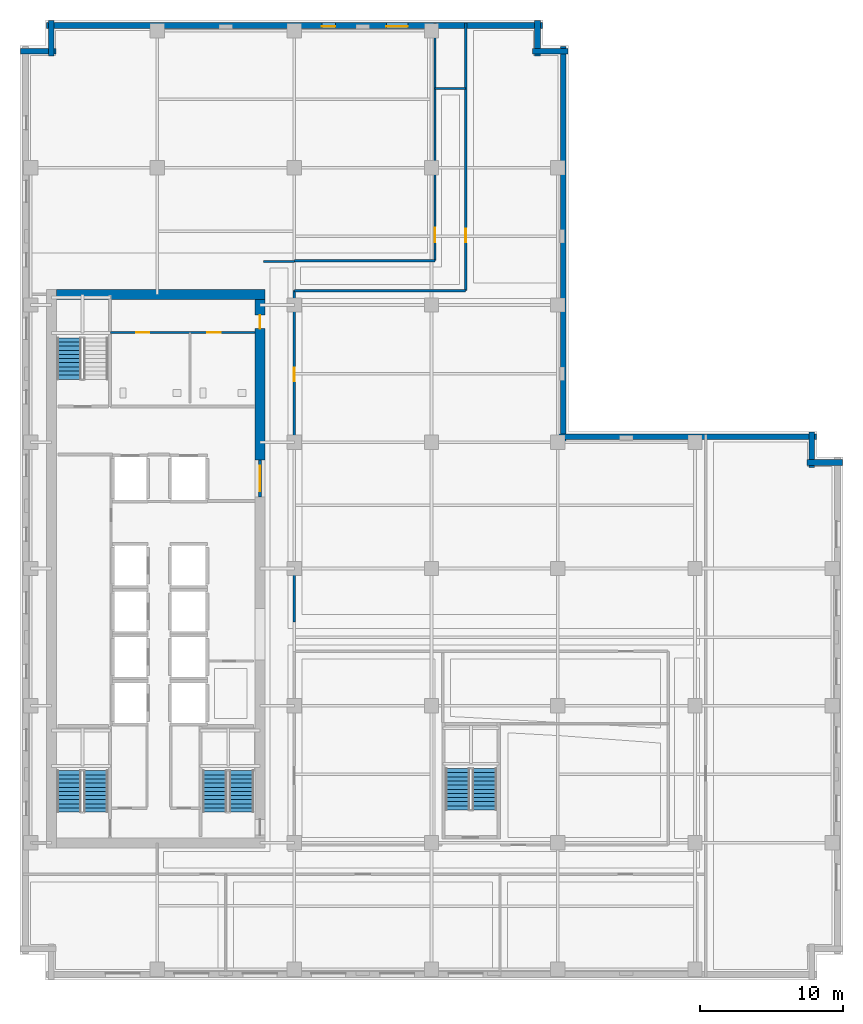
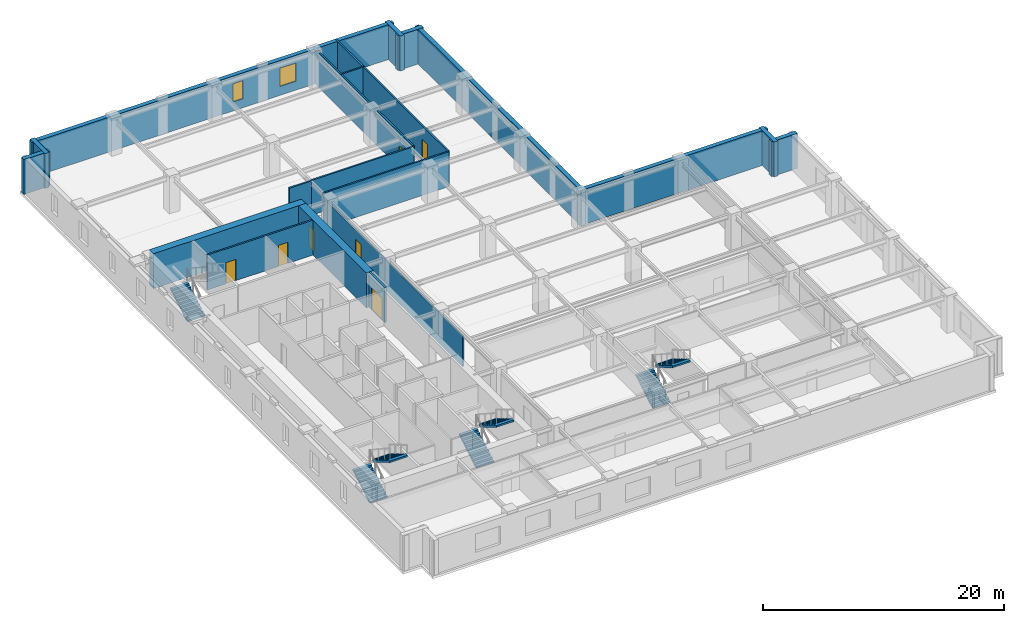
# One storey, part 6 of 12: 20 walls, 7 doors, 7 stair flights, 2 windows, 9 openings, 4 elements without a shape of their own.
"""IFC4 building model written with IfcOpenShell, lengths in metres."""

from ifc_helpers import new_model, si_unit, direction, frame, frame_2d, origin, place, context, subcontext, project, spatial, polyline, rectangle, outline, extrude, material, layer, layer_set, type_object, element, fill, aggregate, save


model = new_model("IFC4")

# Units and contexts
model_context = context("Model", 3, precision=1e-05, world=origin(), true_north=direction((0.0, 1.0)))
body_context = subcontext(model_context, "Body", "Model", "MODEL_VIEW")
ifc_project = project(units=[si_unit("LENGTHUNIT", "METRE"), si_unit("AREAUNIT", "SQUARE_METRE"), si_unit("VOLUMEUNIT", "CUBIC_METRE"), si_unit("PLANEANGLEUNIT", "RADIAN"), si_unit("MASSUNIT", "GRAM", prefix="KILO")], contexts=[model_context])

# Site, building, storey
site_placement = place(None, origin())
site = spatial("IfcSite", under=ifc_project, at=site_placement, CompositionType="ELEMENT")
building_placement = place(site_placement, origin())
building = spatial("IfcBuilding", under=site, at=building_placement, Name="Norrvale University Quadrangle", CompositionType="ELEMENT")
storey_placement = place(building_placement, frame((0.0, 0.0, 143.199951171875)))
storey = spatial("IfcBuildingStorey", under=building, at=storey_placement, Name="L36", CompositionType="ELEMENT", Elevation=143.199951171875)

# Wall
ifc_material_1 = material(Name="Concrete C60/75", Category="concrete")
ifc_layer_1 = layer(ifc_material_1, 0.699951171875, Name="Concrete C60/75")
ifc_layer_set_1 = layer_set([ifc_layer_1], Name="Concrete C60/75")
wall_type_1 = type_object("IfcWallType", Name="Wall Core 700", PredefinedType="SHEAR", material=ifc_layer_set_1)
wall_1_placement = place(storey_placement, frame((2.550048828125, 48.0, 0.0), z_axis=(0.0, 0.0, 1.0), x_axis=(1.0, 0.0, 0.0)))
element("IfcWall", 1, at=wall_1_placement, inside=storey, type_object=wall_type_1, Name="Tower Core Shear Wall L36-N", PredefinedType="SHEAR", context=body_context, shape_type="SweptSolid", body=[
    extrude(rectangle(XDim=14.599853515625, YDim=0.699951171875, at=frame_2d((7.2998046875, 0.0))), origin(), (0.0, 0.0, 1.0), 3.5400390625),
])

# Wall, opening, door
wall_2_placement = place(storey_placement, frame((16.800048828125, 36.39990234375, 0.0), z_axis=(0.0, 0.0, 1.0), x_axis=(0.0, 1.0, 0.0)))
wall_2 = element("IfcWall", 2, at=wall_2_placement, inside=storey, type_object=wall_type_1, Name="Tower Core Shear Wall L36-E3", PredefinedType="SHEAR", context=body_context, shape_type="SweptSolid", body=[
    extrude(rectangle(XDim=11.25, YDim=0.699951171875, at=frame_2d((5.625, 0.0))), origin(), (0.0, 0.0, 1.0), 3.5400390625),
])
opening_1_placement = place(wall_2_placement, frame((9.199951171875, 0.0, 0.0)))
opening_1 = element("IfcOpeningElement", 3, at=opening_1_placement, cuts=wall_2, Name="Opening D07", PredefinedType="OPENING", context=body_context, shape_type="SweptSolid", body=[
    extrude(rectangle(XDim=0.949951171875, YDim=2.14990234375, at=frame_2d((0.47509765625, 1.074951171875))), frame((0.0, 0.362060546875, 0.0), z_axis=(0.0, -1.0, 0.0), x_axis=(1.0, 0.0, 0.0)), (0.0, 0.0, 1.0), 0.723876953125),
])
ifc_material_2 = material(Name="Solid-Core Maple Door", Category="wood")
door_type_1 = type_object("IfcDoorType", Name="Door Office 950x2150", OperationType="NOTDEFINED", PredefinedType="DOOR", material=ifc_material_2)
door_1_placement = place(opening_1_placement, origin())
door_1 = element("IfcDoor", 4, at=door_1_placement, inside=storey, type_object=door_type_1, Name="Door Office 950x2150 DR-L36-NECORR", OperationType="SINGLE_SWING_LEFT", OverallHeight=2.14990234375, OverallWidth=0.949951171875, PredefinedType="DOOR", context=body_context, shape_type="SweptSolid", body=[
    extrude(rectangle(XDim=0.949951171875, YDim=2.14990234375, at=frame_2d((0.47509765625, 1.074951171875))), frame((0.0, 0.02490234375, 0.0), z_axis=(0.0, -1.0, 0.0), x_axis=(1.0, 0.0, 0.0)), (0.0, 0.0, 1.0), 0.050048828125),
])
fill(opening_1, door_1)

# Wall
ifc_material_3 = material(Name="Fire-Rated Gypsum Stud Partition")
ifc_layer_2 = layer(ifc_material_3, 0.14990234375, Name="Fire-Rated Gypsum Stud Partition")
ifc_layer_set_2 = layer_set([ifc_layer_2], Name="Fire-Rated Gypsum Stud Partition")
wall_type_2 = type_object("IfcWallType", Name="Wall Gypsum Corridor 150", PredefinedType="PARTITIONING", material=ifc_layer_set_2)
wall_3_placement = place(storey_placement, frame((17.050048828125, 50.300048828125, 0.0), z_axis=(0.0, 0.0, 1.0), x_axis=(1.0, 0.0, 0.0)))
element("IfcWall", 5, at=wall_3_placement, inside=storey, type_object=wall_type_2, Name="Interior Partition WL-L36-CN-END", PredefinedType="PARTITIONING", context=body_context, shape_type="SweptSolid", body=[
    extrude(rectangle(XDim=2.14990234375, YDim=0.14990234375, at=frame_2d((1.074951171875, 0.0))), origin(), (0.0, 0.0, 1.0), 3.5400390625),
])

# Wall, opening, door
wall_4_placement = place(storey_placement, frame((19.199951171875, 25.050048828125, 0.0), z_axis=(0.0, 0.0, 1.0), x_axis=(0.0, 1.0, 0.0)))
wall_4 = element("IfcWall", 6, at=wall_4_placement, inside=storey, type_object=wall_type_2, Name="Interior Partition WL-L36-MNECW", PredefinedType="PARTITIONING", context=body_context, shape_type="SweptSolid", body=[
    extrude(rectangle(XDim=23.199951171875, YDim=0.14990234375, at=frame_2d((11.60009765625, 0.0))), origin(), (0.0, 0.0, 1.0), 3.071044921875),
])
opening_2_placement = place(wall_4_placement, frame((16.85009765625, 0.0, 0.0)))
opening_2 = element("IfcOpeningElement", 7, at=opening_2_placement, cuts=wall_4, Name="Opening D07", PredefinedType="OPENING", context=body_context, shape_type="SweptSolid", body=[
    extrude(rectangle(XDim=0.949951171875, YDim=2.14990234375, at=frame_2d((0.47509765625, 1.074951171875))), frame((0.0, 0.0869140625, 0.0), z_axis=(0.0, -1.0, 0.0), x_axis=(1.0, 0.0, 0.0)), (0.0, 0.0, 1.0), 0.173828125),
])
door_2_placement = place(opening_2_placement, origin())
door_2 = element("IfcDoor", 8, at=door_2_placement, inside=storey, type_object=door_type_1, Name="Door Office 950x2150 DR-L36-MNE01", OperationType="SINGLE_SWING_RIGHT", OverallHeight=2.14990234375, OverallWidth=0.949951171875, PredefinedType="DOOR", context=body_context, shape_type="SweptSolid", body=[
    extrude(rectangle(XDim=0.949951171875, YDim=2.14990234375, at=frame_2d((0.47509765625, 1.074951171875))), frame((0.0, 0.02490234375, 0.0), z_axis=(0.0, -1.0, 0.0), x_axis=(1.0, 0.0, 0.0)), (0.0, 0.0, 1.0), 0.050048828125),
])
fill(opening_2, door_2)

# Walls
wall_5_placement = place(storey_placement, frame((19.199951171875, 48.25, 0.0), z_axis=(0.0, 0.0, 1.0), x_axis=(1.0, 0.0, 0.0)))
element("IfcWall", 9, at=wall_5_placement, inside=storey, type_object=wall_type_2, Name="Interior Partition WL-L36-JOGS", PredefinedType="PARTITIONING", context=body_context, shape_type="SweptSolid", body=[
    extrude(rectangle(XDim=12.0, YDim=0.14990234375, at=frame_2d((6.0, 0.0))), origin(), (0.0, 0.0, 1.0), 3.5400390625),
])
wall_6_placement = place(storey_placement, frame((19.199951171875, 50.35009765625, 0.0), z_axis=(0.0, 0.0, 1.0), x_axis=(1.0, 0.0, 0.0)))
element("IfcWall", 10, at=wall_6_placement, inside=storey, type_object=wall_type_2, Name="Interior Partition WL-L36-JOGN", PredefinedType="PARTITIONING", context=body_context, shape_type="SweptSolid", body=[
    extrude(rectangle(XDim=9.85009765625, YDim=0.14990234375, at=frame_2d((4.925048828125, 0.0))), origin(), (0.0, 0.0, 1.0), 3.5400390625),
])
wall_7_placement = place(storey_placement, frame((29.050048828125, 62.39990234375, 0.0), z_axis=(0.0, 0.0, 1.0), x_axis=(1.0, 0.0, 0.0)))
element("IfcWall", 11, at=wall_7_placement, inside=storey, type_object=wall_type_2, Name="Interior Partition WL-L36-JOGEND", PredefinedType="PARTITIONING", context=body_context, shape_type="SweptSolid", body=[
    extrude(rectangle(XDim=2.14990234375, YDim=0.14990234375, at=frame_2d((1.074951171875, 0.0))), origin(), (0.0, 0.0, 1.0), 3.5400390625),
])

# Wall, opening, door
wall_8_placement = place(storey_placement, frame((31.199951171875, 48.25, 0.0), z_axis=(0.0, 0.0, 1.0), x_axis=(0.0, 1.0, 0.0)))
wall_8 = element("IfcWall", 12, at=wall_8_placement, inside=storey, type_object=wall_type_2, Name="Interior Partition WL-L36-NECW", PredefinedType="PARTITIONING", context=body_context, shape_type="SweptSolid", body=[
    extrude(rectangle(XDim=18.72998046875, YDim=0.14990234375, at=frame_2d((9.364990234375, 0.0))), origin(), (0.0, 0.0, 1.0), 3.5400390625),
])
opening_3_placement = place(wall_8_placement, frame((3.39990234375, 0.0, 0.0)))
opening_3 = element("IfcOpeningElement", 13, at=opening_3_placement, cuts=wall_8, Name="Opening D07", PredefinedType="OPENING", context=body_context, shape_type="SweptSolid", body=[
    extrude(rectangle(XDim=0.949951171875, YDim=2.14990234375, at=frame_2d((0.47509765625, 1.074951171875))), frame((0.0, 0.0869140625, 0.0), z_axis=(0.0, -1.0, 0.0), x_axis=(1.0, 0.0, 0.0)), (0.0, 0.0, 1.0), 0.173828125),
])
door_3_placement = place(opening_3_placement, origin())
door_3 = element("IfcDoor", 14, at=door_3_placement, inside=storey, type_object=door_type_1, Name="Door Office 950x2150 DR-L36-NE01", OperationType="SINGLE_SWING_RIGHT", OverallHeight=2.14990234375, OverallWidth=0.949951171875, PredefinedType="DOOR", context=body_context, shape_type="SweptSolid", body=[
    extrude(rectangle(XDim=0.949951171875, YDim=2.14990234375, at=frame_2d((0.47509765625, 1.074951171875))), frame((0.0, 0.02490234375, 0.0), z_axis=(0.0, -1.0, 0.0), x_axis=(1.0, 0.0, 0.0)), (0.0, 0.0, 1.0), 0.050048828125),
])
fill(opening_3, door_3)

wall_9_placement = place(storey_placement, frame((29.050048828125, 50.35009765625, 0.0), z_axis=(0.0, 0.0, 1.0), x_axis=(0.0, 1.0, 0.0)))
wall_9 = element("IfcWall", 15, at=wall_9_placement, inside=storey, type_object=wall_type_2, Name="Interior Partition WL-L36-NWCW", PredefinedType="PARTITIONING", context=body_context, shape_type="SweptSolid", body=[
    extrude(rectangle(XDim=16.6298828125, YDim=0.14990234375, at=frame_2d((8.31494140625, 0.0))), origin(), (0.0, 0.0, 1.0), 3.5400390625),
])
opening_4_placement = place(wall_9_placement, frame((1.300048828125, 0.0, 0.0)))
opening_4 = element("IfcOpeningElement", 16, at=opening_4_placement, cuts=wall_9, Name="Opening D04", PredefinedType="OPENING", context=body_context, shape_type="SweptSolid", body=[
    extrude(rectangle(XDim=1.0, YDim=2.199951171875, at=frame_2d((0.5, 1.10009765625))), frame((0.0, 0.0869140625, 0.0), z_axis=(0.0, -1.0, 0.0), x_axis=(1.0, 0.0, 0.0)), (0.0, 0.0, 1.0), 0.173828125),
])
ifc_material_4 = material(Name="Solid-Core Oak Fire Door", Category="wood")
door_type_2 = type_object("IfcDoorType", Name="Door Corridor 1000x2200", OperationType="NOTDEFINED", PredefinedType="DOOR", material=ifc_material_4)
door_4_placement = place(opening_4_placement, origin())
door_4 = element("IfcDoor", 17, at=door_4_placement, inside=storey, type_object=door_type_2, Name="Door Corridor 1000x2200 DR-L36-NW01", OperationType="SINGLE_SWING_RIGHT", OverallHeight=2.199951171875, OverallWidth=1.0, PredefinedType="DOOR", context=body_context, shape_type="SweptSolid", body=[
    extrude(rectangle(XDim=1.0, YDim=2.199951171875, at=frame_2d((0.5, 1.10009765625))), frame((0.0, 0.02490234375, 0.0), z_axis=(0.0, -1.0, 0.0), x_axis=(1.0, 0.0, 0.0)), (0.0, 0.0, 1.0), 0.050048828125),
])
fill(opening_4, door_4)

# Wall, openings, doors
ifc_material_5 = material(Name="Sanitary Chase Gypsum Partition")
ifc_layer_3 = layer(ifc_material_5, 0.1650390625, Name="Sanitary Chase Gypsum Partition")
ifc_layer_set_3 = layer_set([ifc_layer_3], Name="Sanitary Chase Gypsum Partition")
wall_type_3 = type_object("IfcWallType", Name="Wall Gypsum Sanitary 165", PredefinedType="PLUMBINGWALL", material=ifc_layer_set_3)
wall_10_placement = place(storey_placement, frame((6.320068359375, 45.320068359375, 0.0), z_axis=(0.0, 0.0, 1.0), x_axis=(1.0, 0.0, 0.0)))
wall_10 = element("IfcWall", 18, at=wall_10_placement, inside=storey, type_object=wall_type_3, Name="Interior Partition WL-L36-WCN", PredefinedType="PLUMBINGWALL", context=body_context, shape_type="SweptSolid", body=[
    extrude(rectangle(XDim=10.1298828125, YDim=0.1650390625, at=frame_2d((5.06494140625, 0.0))), origin(), (0.0, 0.0, 1.0), 3.5400390625),
])
opening_5_placement = place(wall_10_placement, frame((1.800048828125, 0.0, 0.0)))
opening_5 = element("IfcOpeningElement", 19, at=opening_5_placement, cuts=wall_10, Name="Opening D08", PredefinedType="OPENING", context=body_context, shape_type="SweptSolid", body=[
    extrude(rectangle(XDim=0.919921875, YDim=2.14990234375, at=frame_2d((0.4599609375, 1.074951171875))), frame((0.0, 0.094482421875, 0.0), z_axis=(0.0, -1.0, 0.0), x_axis=(1.0, 0.0, 0.0)), (0.0, 0.0, 1.0), 0.18896484375),
])
opening_6_placement = place(wall_10_placement, frame((6.800048828125, 0.0, 0.0)))
opening_6 = element("IfcOpeningElement", 20, at=opening_6_placement, cuts=wall_10, Name="Opening D08", PredefinedType="OPENING", context=body_context, shape_type="SweptSolid", body=[
    extrude(rectangle(XDim=0.919921875, YDim=2.14990234375, at=frame_2d((0.4599609375, 1.074951171875))), frame((0.0, 0.094482421875, 0.0), z_axis=(0.0, -1.0, 0.0), x_axis=(1.0, 0.0, 0.0)), (0.0, 0.0, 1.0), 0.18896484375),
])
ifc_material_6 = material(Name="Laminate Washroom Door", Category="wood")
door_type_3 = type_object("IfcDoorType", Name="Door Washroom 920x2150", OperationType="NOTDEFINED", PredefinedType="DOOR", material=ifc_material_6)
door_5_placement = place(opening_5_placement, origin())
door_5 = element("IfcDoor", 21, at=door_5_placement, inside=storey, type_object=door_type_3, Name="Door Washroom 920x2150 DR-L36-WC1", OperationType="SINGLE_SWING_LEFT", OverallHeight=2.14990234375, OverallWidth=0.919921875, PredefinedType="DOOR", context=body_context, shape_type="SweptSolid", body=[
    extrude(rectangle(XDim=0.919921875, YDim=2.14990234375, at=frame_2d((0.4599609375, 1.074951171875))), frame((0.0, 0.02490234375, 0.0), z_axis=(0.0, -1.0, 0.0), x_axis=(1.0, 0.0, 0.0)), (0.0, 0.0, 1.0), 0.050048828125),
])
fill(opening_5, door_5)
door_6_placement = place(opening_6_placement, origin())
door_6 = element("IfcDoor", 22, at=door_6_placement, inside=storey, type_object=door_type_3, Name="Door Washroom 920x2150 DR-L36-WC2", OperationType="SINGLE_SWING_RIGHT", OverallHeight=2.14990234375, OverallWidth=0.919921875, PredefinedType="DOOR", context=body_context, shape_type="SweptSolid", body=[
    extrude(rectangle(XDim=0.919921875, YDim=2.14990234375, at=frame_2d((0.4599609375, 1.074951171875))), frame((0.0, 0.02490234375, 0.0), z_axis=(0.0, -1.0, 0.0), x_axis=(1.0, 0.0, 0.0)), (0.0, 0.0, 1.0), 0.050048828125),
])
fill(opening_6, door_6)

# Wall, opening, door
ifc_material_7 = material(Name="Concrete Blockwork 20 MPa Rated Wall", Category="masonry")
ifc_layer_4 = layer(ifc_material_7, 0.199951171875, Name="Concrete Blockwork 20 MPa Rated Wall")
ifc_layer_set_4 = layer_set([ifc_layer_4], Name="Concrete Blockwork 20 MPa Rated Wall")
wall_type_4 = type_object("IfcWallType", Name="Wall Lobby 200", PredefinedType="SOLIDWALL", material=ifc_layer_set_4)
wall_11_placement = place(storey_placement, frame((16.800048828125, 33.800048828125, 0.0), z_axis=(0.0, 0.0, 1.0), x_axis=(0.0, 1.0, 0.0)))
wall_11 = element("IfcWall", 23, at=wall_11_placement, inside=storey, type_object=wall_type_4, Name="Interior Partition WL-L36-FFP", PredefinedType="SOLIDWALL", context=body_context, shape_type="SweptSolid", body=[
    extrude(rectangle(XDim=2.599853515625, YDim=0.199951171875, at=frame_2d((1.2998046875, 0.0))), origin(), (0.0, 0.0, 1.0), 3.5400390625),
])
opening_7_placement = place(wall_11_placement, frame((0.39990234375, 0.0, 0.0)))
opening_7 = element("IfcOpeningElement", 24, at=opening_7_placement, cuts=wall_11, Name="Opening D03", PredefinedType="OPENING", context=body_context, shape_type="SweptSolid", body=[
    extrude(rectangle(XDim=1.800048828125, YDim=2.199951171875, at=frame_2d((0.89990234375, 1.10009765625))), frame((0.0, 0.112060546875, 0.0), z_axis=(0.0, -1.0, 0.0), x_axis=(1.0, 0.0, 0.0)), (0.0, 0.0, 1.0), 0.223876953125),
])
ifc_material_8 = material(Name="Hollow Steel 350W Fire Door", Category="steel")
door_type_4 = type_object("IfcDoorType", Name="Door Fire Lobby 1800x2200", OperationType="DOUBLE_DOOR_SINGLE_SWING", PredefinedType="DOOR", material=ifc_material_8)
door_7_placement = place(opening_7_placement, origin())
door_7 = element("IfcDoor", 25, at=door_7_placement, inside=storey, type_object=door_type_4, Name="Door Fire Lobby 1800x2200 DR-L36-FFP", OperationType="DOUBLE_DOOR_SINGLE_SWING", OverallHeight=2.199951171875, OverallWidth=1.800048828125, PredefinedType="DOOR", context=body_context, shape_type="SweptSolid", body=[
    extrude(rectangle(XDim=1.800048828125, YDim=2.199951171875, at=frame_2d((0.89990234375, 1.10009765625))), frame((0.0, 0.02490234375, 0.0), z_axis=(0.0, -1.0, 0.0), x_axis=(1.0, 0.0, 0.0)), (0.0, 0.0, 1.0), 0.050048828125),
])
fill(opening_7, door_7)

# Walls
ifc_material_9 = material(Name="Red Manganese Brick Masonry", Category="masonry")
ifc_layer_5 = layer(ifc_material_9, 0.39990234375, Name="Red Manganese Brick Masonry")
ifc_layer_set_5 = layer_set([ifc_layer_5], Name="Red Manganese Brick Masonry")
wall_type_5 = type_object("IfcWallType", Name="Wall Red Brick 400", PredefinedType="SOLIDWALL", material=ifc_layer_set_5)
wall_12_placement = place(storey_placement, frame((57.56005859375, 36.219970703125, 0.0), z_axis=(0.0, 0.0, 1.0), x_axis=(-1.0, 0.0, 0.0)))
element("IfcWall", 26, at=wall_12_placement, inside=storey, type_object=wall_type_5, Name="Exterior Brick Facade Wall L36-05.1", PredefinedType="SOLIDWALL", context=body_context, shape_type="SweptSolid", body=[
    extrude(rectangle(XDim=2.47998046875, YDim=0.39990234375, at=frame_2d((1.239990234375, 0.0))), origin(), (0.0, 0.0, 1.0), 3.5400390625),
])
wall_13_placement = place(storey_placement, frame((55.419921875, 35.8798828125, 0.0), z_axis=(0.0, 0.0, 1.0), x_axis=(0.0, 1.0, 0.0)))
element("IfcWall", 27, at=wall_13_placement, inside=storey, type_object=wall_type_5, Name="Exterior Brick Facade Wall L36-06.1", PredefinedType="SOLIDWALL", context=body_context, shape_type="SweptSolid", body=[
    extrude(rectangle(XDim=2.480224609375, YDim=0.39990234375, at=frame_2d((1.240234375, 0.0))), origin(), (0.0, 0.0, 1.0), 3.5400390625),
])
wall_14_placement = place(storey_placement, frame((55.760009765625, 38.02001953125, 0.0), z_axis=(0.0, 0.0, 1.0), x_axis=(-1.0, 0.0, 0.0)))
element("IfcWall", 28, at=wall_14_placement, inside=storey, type_object=wall_type_5, Name="Exterior Brick Facade Wall L36-07.1", PredefinedType="SOLIDWALL", context=body_context, shape_type="SweptSolid", body=[
    extrude(rectangle(XDim=18.080078125, YDim=0.39990234375, at=frame_2d((9.0400390625, 0.0))), origin(), (0.0, 0.0, 1.0), 3.5400390625),
])
wall_15_placement = place(storey_placement, frame((38.02001953125, 37.679931640625, 0.0), z_axis=(0.0, 0.0, 1.0), x_axis=(0.0, 1.0, 0.0)))
element("IfcWall", 29, at=wall_15_placement, inside=storey, type_object=wall_type_5, Name="Exterior Brick Facade Wall L36-08.1", PredefinedType="SOLIDWALL", context=body_context, shape_type="SweptSolid", body=[
    extrude(rectangle(XDim=27.68017578125, YDim=0.39990234375, at=frame_2d((13.840087890625, 0.0))), origin(), (0.0, 0.0, 1.0), 3.5400390625),
])
wall_16_placement = place(storey_placement, frame((38.360107421875, 65.02001953125, 0.0), z_axis=(0.0, 0.0, 1.0), x_axis=(-1.0, 0.0, 0.0)))
element("IfcWall", 30, at=wall_16_placement, inside=storey, type_object=wall_type_5, Name="Exterior Brick Facade Wall L36-09.1", PredefinedType="SOLIDWALL", context=body_context, shape_type="SweptSolid", body=[
    extrude(rectangle(XDim=2.480224609375, YDim=0.39990234375, at=frame_2d((1.240234375, 0.0))), origin(), (0.0, 0.0, 1.0), 3.5400390625),
])
wall_17_placement = place(storey_placement, frame((36.219970703125, 64.679931640625, 0.0), z_axis=(0.0, 0.0, 1.0), x_axis=(0.0, 1.0, 0.0)))
element("IfcWall", 31, at=wall_17_placement, inside=storey, type_object=wall_type_5, Name="Exterior Brick Facade Wall L36-10.1", PredefinedType="SOLIDWALL", context=body_context, shape_type="SweptSolid", body=[
    extrude(rectangle(XDim=2.47998046875, YDim=0.39990234375, at=frame_2d((1.239990234375, 0.0))), origin(), (0.0, 0.0, 1.0), 3.5400390625),
])

# Wall, openings, windows
wall_18_placement = place(storey_placement, frame((36.56005859375, 66.820068359375, 0.0), z_axis=(0.0, 0.0, 1.0), x_axis=(-1.0, 0.0, 0.0)))
wall_18 = element("IfcWall", 32, at=wall_18_placement, inside=storey, type_object=wall_type_5, Name="Exterior Brick Facade Wall L36-11.1", PredefinedType="SOLIDWALL", context=body_context, shape_type="SweptSolid", body=[
    extrude(rectangle(XDim=34.719970703125, YDim=0.39990234375, at=frame_2d((17.35986328125, 0.0))), origin(), (0.0, 0.0, 1.0), 3.5400390625),
])
opening_8_placement = place(wall_18_placement, frame((9.409912109375, 0.0, 0.89990234375)))
opening_8 = element("IfcOpeningElement", 33, at=opening_8_placement, cuts=wall_18, Name="Opening W03", PredefinedType="OPENING", context=body_context, shape_type="SweptSolid", body=[
    extrude(rectangle(XDim=1.5, YDim=1.85009765625, at=frame_2d((0.75, 0.925048828125))), frame((0.0, 0.2119140625, 0.0), z_axis=(0.0, -1.0, 0.0), x_axis=(1.0, 0.0, 0.0)), (0.0, 0.0, 1.0), 0.423828125),
])
opening_9_placement = place(wall_18_placement, frame((14.485107421875, 0.0, 0.89990234375)))
opening_9 = element("IfcOpeningElement", 34, at=opening_9_placement, cuts=wall_18, Name="Opening W04", PredefinedType="OPENING", context=body_context, shape_type="SweptSolid", body=[
    extrude(rectangle(XDim=0.949951171875, YDim=1.85009765625, at=frame_2d((0.47509765625, 0.925048828125))), frame((0.0, 0.2119140625, 0.0), z_axis=(0.0, -1.0, 0.0), x_axis=(1.0, 0.0, 0.0)), (0.0, 0.0, 1.0), 0.423828125),
])
ifc_material_10 = material(Name="Triple Low-E Argon Glazing", Category="glass")
window_type_1 = type_object("IfcWindowType", Name="Window Narrow Pier 950x2300", PartitioningType="SINGLE_PANEL", PredefinedType="WINDOW", material=ifc_material_10)
window_1_placement = place(opening_9_placement, origin())
window_1 = element("IfcWindow", 35, at=window_1_placement, inside=storey, type_object=window_type_1, Name="Window Narrow Pier 950x2300 WIN-L36-E11-1-02", OverallHeight=1.85009765625, OverallWidth=0.949951171875, PartitioningType="SINGLE_PANEL", PredefinedType="WINDOW", context=body_context, shape_type="SweptSolid", body=[
    extrude(rectangle(XDim=0.949951171875, YDim=1.85009765625, at=frame_2d((0.47509765625, 0.925048828125))), frame((0.0, 0.110107421875, 0.0), z_axis=(0.0, -1.0, 0.0), x_axis=(1.0, 0.0, 0.0)), (0.0, 0.0, 1.0), 0.06005859375),
])
fill(opening_9, window_1)
window_type_2 = type_object("IfcWindowType", Name="Window Studio 1500x2300", PartitioningType="DOUBLE_PANEL_VERTICAL", PredefinedType="WINDOW", material=ifc_material_10)
window_2_placement = place(opening_8_placement, origin())
window_2 = element("IfcWindow", 36, at=window_2_placement, inside=storey, type_object=window_type_2, Name="Window Studio 1500x2300 WIN-L36-E11-1-01", OverallHeight=1.85009765625, OverallWidth=1.5, PartitioningType="DOUBLE_PANEL_VERTICAL", PredefinedType="WINDOW", context=body_context, shape_type="SweptSolid", body=[
    extrude(rectangle(XDim=1.5, YDim=1.85009765625, at=frame_2d((0.75, 0.925048828125))), frame((0.0, 0.110107421875, 0.0), z_axis=(0.0, -1.0, 0.0), x_axis=(1.0, 0.0, 0.0)), (0.0, 0.0, 1.0), 0.06005859375),
])
fill(opening_8, window_2)

# Walls
for number, where, z_axis, x_axis, name in (
    (37, (2.179931640625, 67.159912109375, 0.0), (0.0, 0.0, 1.0), (0.0, -1.0, 0.0), "Exterior Brick Facade Wall L36-12.1"),
    (38, (2.52001953125, 65.02001953125, 0.0), (0.0, 0.0, 1.0), (-1.0, 0.0, 0.0), "Exterior Brick Facade Wall L36-13.1"),
):
    element("IfcWall", number, at=place(storey_placement, frame(where, z_axis=z_axis, x_axis=x_axis)), inside=storey, type_object=wall_type_5, Name=name, PredefinedType="SOLIDWALL", context=body_context, shape_type="SweptSolid", body=[
        extrude(rectangle(XDim=2.47998046875, YDim=0.39990234375, at=frame_2d((1.239990234375, 0.0))), origin(), (0.0, 0.0, 1.0), 3.5400390625),
    ])

# Stair, stair flights
ifc_material_11 = material(Name="Concrete C40/50", Category="concrete")
stair_type = type_object("IfcStairType", Name="Stair Tower Typ 3800", PredefinedType="TWO_STRAIGHT_RUN_STAIR", material=ifc_material_11)
stair_1_placement = place(storey_placement, origin())
stair_1 = element("IfcStair", 39, at=stair_1_placement, inside=storey, type_object=stair_type, Name="Exit Stair ST-01 L36", PredefinedType="TWO_STRAIGHT_RUN_STAIR")
stair_flight_type = type_object("IfcStairFlightType", Name="Flight Typ 1500", PredefinedType="STRAIGHT", material=ifc_material_11)
stair_flight_1_placement = place(storey_placement, frame((3.429931640625, 11.75, 0.0), z_axis=(0.0, 0.0, 1.0), x_axis=(0.0, 1.0, 0.0)))
stair_flight_1 = element("IfcStairFlight", 40, at=stair_flight_1_placement, type_object=stair_flight_type, Name="Exit Stair ST-01 L36 Lower Flight", NumberOfRisers=11, NumberOfTreads=10, PredefinedType="STRAIGHT", RiserHeight=0.172727, TreadLength=0.29, context=body_context, shape_type="SweptSolid", body=[
    extrude(outline(polyline([(0.0, 0.0), (0.0, 0.172607421875), (0.2900390625, 0.172607421875), (0.2900390625, 0.345458984375), (0.580078125, 0.345458984375), (0.580078125, 0.51806640625), (0.8701171875, 0.51806640625), (0.8701171875, 0.69091796875), (1.159912109375, 0.69091796875), (1.159912109375, 0.863525390625), (1.449951171875, 0.863525390625), (1.449951171875, 1.036376953125), (1.739990234375, 1.036376953125), (1.739990234375, 1.208984375), (2.030029296875, 1.208984375), (2.030029296875, 1.3818359375), (2.320068359375, 1.3818359375), (2.320068359375, 1.554443359375), (2.610107421875, 1.554443359375), (2.610107421875, 1.727294921875), (2.89990234375, 1.727294921875), (2.89990234375, 1.89990234375), (2.89990234375, 1.552734375), (0.29296875, 0.0), (0.0, 0.0)])), frame((0.0, 0.83984375, 0.0), z_axis=(0.0, -1.0, 0.0), x_axis=(1.0, 0.0, 0.0)), (0.0, 0.0, 1.0), 1.679931640625),
])
stair_flight_2_placement = place(storey_placement, frame((5.320068359375, 14.64990234375, 1.900146484375), z_axis=(0.0, 0.0, 1.0), x_axis=(0.0, -1.0, 0.0)))
stair_flight_2 = element("IfcStairFlight", 41, at=stair_flight_2_placement, type_object=stair_flight_type, Name="Exit Stair ST-01 L36 Upper Flight", NumberOfRisers=11, NumberOfTreads=10, PredefinedType="STRAIGHT", RiserHeight=0.172727, TreadLength=0.29, context=body_context, shape_type="SweptSolid", body=[
    extrude(outline(polyline([(0.0, 0.0), (0.0, 0.172607421875), (0.2900390625, 0.172607421875), (0.2900390625, 0.345458984375), (0.580078125, 0.345458984375), (0.580078125, 0.51806640625), (0.8701171875, 0.51806640625), (0.8701171875, 0.69091796875), (1.159912109375, 0.69091796875), (1.159912109375, 0.863525390625), (1.449951171875, 0.863525390625), (1.449951171875, 1.036376953125), (1.739990234375, 1.036376953125), (1.739990234375, 1.208984375), (2.030029296875, 1.208984375), (2.030029296875, 1.3818359375), (2.320068359375, 1.3818359375), (2.320068359375, 1.554443359375), (2.610107421875, 1.554443359375), (2.610107421875, 1.727294921875), (2.89990234375, 1.727294921875), (2.89990234375, 1.89990234375), (2.89990234375, 1.552734375), (0.29296875, 0.0), (0.0, 0.0)])), frame((0.0, 0.83984375, 0.0), z_axis=(0.0, -1.0, 0.0), x_axis=(1.0, 0.0, 0.0)), (0.0, 0.0, 1.0), 1.679931640625),
])
aggregate(stair_1, [stair_flight_1, stair_flight_2])

# Stair, stair flight
stair_2_placement = place(storey_placement, origin())
stair_2 = element("IfcStair", 42, at=stair_2_placement, inside=storey, type_object=stair_type, Name="Exit Stair ST-02 L36", PredefinedType="TWO_STRAIGHT_RUN_STAIR")
stair_flight_3_placement = place(storey_placement, frame((3.429931640625, 42.050048828125, 0.0), z_axis=(0.0, 0.0, 1.0), x_axis=(0.0, 1.0, 0.0)))
stair_flight_3 = element("IfcStairFlight", 43, at=stair_flight_3_placement, type_object=stair_flight_type, Name="Exit Stair ST-02 L36 Lower Flight", NumberOfRisers=11, NumberOfTreads=10, PredefinedType="STRAIGHT", RiserHeight=0.172727, TreadLength=0.29, context=body_context, shape_type="SweptSolid", body=[
    extrude(outline(polyline([(0.0, 0.0), (0.0, 0.172607421875), (0.2900390625, 0.172607421875), (0.2900390625, 0.345458984375), (0.580078125, 0.345458984375), (0.580078125, 0.51806640625), (0.8701171875, 0.51806640625), (0.8701171875, 0.69091796875), (1.159912109375, 0.69091796875), (1.159912109375, 0.863525390625), (1.449951171875, 0.863525390625), (1.449951171875, 1.036376953125), (1.739990234375, 1.036376953125), (1.739990234375, 1.208984375), (2.030029296875, 1.208984375), (2.030029296875, 1.3818359375), (2.320068359375, 1.3818359375), (2.320068359375, 1.554443359375), (2.610107421875, 1.554443359375), (2.610107421875, 1.727294921875), (2.89990234375, 1.727294921875), (2.89990234375, 1.89990234375), (2.89990234375, 1.552734375), (0.29296875, 0.0), (0.0, 0.0)])), frame((0.0, 0.83984375, 0.0), z_axis=(0.0, -1.0, 0.0), x_axis=(1.0, 0.0, 0.0)), (0.0, 0.0, 1.0), 1.679931640625),
])
aggregate(stair_2, [stair_flight_3])

# Stair, stair flights
stair_3_placement = place(storey_placement, origin())
stair_3 = element("IfcStair", 44, at=stair_3_placement, inside=storey, type_object=stair_type, Name="Exit Stair ST-03 L36", PredefinedType="TWO_STRAIGHT_RUN_STAIR")
stair_flight_4_placement = place(storey_placement, frame((13.6298828125, 11.75, 0.0), z_axis=(0.0, 0.0, 1.0), x_axis=(0.0, 1.0, 0.0)))
stair_flight_4 = element("IfcStairFlight", 45, at=stair_flight_4_placement, type_object=stair_flight_type, Name="Exit Stair ST-03 L36 Lower Flight", NumberOfRisers=11, NumberOfTreads=10, PredefinedType="STRAIGHT", RiserHeight=0.172727, TreadLength=0.29, context=body_context, shape_type="SweptSolid", body=[
    extrude(outline(polyline([(0.0, 0.0), (0.0, 0.172607421875), (0.2900390625, 0.172607421875), (0.2900390625, 0.345458984375), (0.580078125, 0.345458984375), (0.580078125, 0.51806640625), (0.8701171875, 0.51806640625), (0.8701171875, 0.69091796875), (1.159912109375, 0.69091796875), (1.159912109375, 0.863525390625), (1.449951171875, 0.863525390625), (1.449951171875, 1.036376953125), (1.739990234375, 1.036376953125), (1.739990234375, 1.208984375), (2.030029296875, 1.208984375), (2.030029296875, 1.3818359375), (2.320068359375, 1.3818359375), (2.320068359375, 1.554443359375), (2.610107421875, 1.554443359375), (2.610107421875, 1.727294921875), (2.89990234375, 1.727294921875), (2.89990234375, 1.89990234375), (2.89990234375, 1.552734375), (0.29296875, 0.0), (0.0, 0.0)])), frame((0.0, 0.83984375, 0.0), z_axis=(0.0, -1.0, 0.0), x_axis=(1.0, 0.0, 0.0)), (0.0, 0.0, 1.0), 1.679931640625),
])
stair_flight_5_placement = place(storey_placement, frame((15.52001953125, 14.64990234375, 1.900146484375), z_axis=(0.0, 0.0, 1.0), x_axis=(0.0, -1.0, 0.0)))
stair_flight_5 = element("IfcStairFlight", 46, at=stair_flight_5_placement, type_object=stair_flight_type, Name="Exit Stair ST-03 L36 Upper Flight", NumberOfRisers=11, NumberOfTreads=10, PredefinedType="STRAIGHT", RiserHeight=0.172727, TreadLength=0.29, context=body_context, shape_type="SweptSolid", body=[
    extrude(outline(polyline([(0.0, 0.0), (0.0, 0.172607421875), (0.2900390625, 0.172607421875), (0.2900390625, 0.345458984375), (0.580078125, 0.345458984375), (0.580078125, 0.51806640625), (0.8701171875, 0.51806640625), (0.8701171875, 0.69091796875), (1.159912109375, 0.69091796875), (1.159912109375, 0.863525390625), (1.449951171875, 0.863525390625), (1.449951171875, 1.036376953125), (1.739990234375, 1.036376953125), (1.739990234375, 1.208984375), (2.030029296875, 1.208984375), (2.030029296875, 1.3818359375), (2.320068359375, 1.3818359375), (2.320068359375, 1.554443359375), (2.610107421875, 1.554443359375), (2.610107421875, 1.727294921875), (2.89990234375, 1.727294921875), (2.89990234375, 1.89990234375), (2.89990234375, 1.552734375), (0.29296875, 0.0), (0.0, 0.0)])), frame((0.0, 0.83984375, 0.0), z_axis=(0.0, -1.0, 0.0), x_axis=(1.0, 0.0, 0.0)), (0.0, 0.0, 1.0), 1.679931640625),
])
aggregate(stair_3, [stair_flight_4, stair_flight_5])

stair_4_placement = place(storey_placement, origin())
stair_4 = element("IfcStair", 47, at=stair_4_placement, inside=storey, type_object=stair_type, Name="Exit Stair ST-04 L36", PredefinedType="TWO_STRAIGHT_RUN_STAIR")
stair_flight_6_placement = place(storey_placement, frame((30.6298828125, 11.89990234375, 0.0), z_axis=(0.0, 0.0, 1.0), x_axis=(0.0, 1.0, 0.0)))
stair_flight_6 = element("IfcStairFlight", 48, at=stair_flight_6_placement, type_object=stair_flight_type, Name="Exit Stair ST-04 L36 Lower Flight", NumberOfRisers=11, NumberOfTreads=10, PredefinedType="STRAIGHT", RiserHeight=0.172727, TreadLength=0.29, context=body_context, shape_type="SweptSolid", body=[
    extrude(outline(polyline([(0.0, 0.0), (0.0, 0.172607421875), (0.2900390625, 0.172607421875), (0.2900390625, 0.345458984375), (0.580078125, 0.345458984375), (0.580078125, 0.51806640625), (0.8701171875, 0.51806640625), (0.8701171875, 0.69091796875), (1.159912109375, 0.69091796875), (1.159912109375, 0.863525390625), (1.449951171875, 0.863525390625), (1.449951171875, 1.036376953125), (1.739990234375, 1.036376953125), (1.739990234375, 1.208984375), (2.030029296875, 1.208984375), (2.030029296875, 1.3818359375), (2.320068359375, 1.3818359375), (2.320068359375, 1.554443359375), (2.610107421875, 1.554443359375), (2.610107421875, 1.727294921875), (2.89990234375, 1.727294921875), (2.89990234375, 1.89990234375), (2.89990234375, 1.552734375), (0.29296875, 0.0), (0.0, 0.0)])), frame((0.0, 0.83984375, 0.0), z_axis=(0.0, -1.0, 0.0), x_axis=(1.0, 0.0, 0.0)), (0.0, 0.0, 1.0), 1.679931640625),
])
stair_flight_7_placement = place(storey_placement, frame((32.52001953125, 14.800048828125, 1.900146484375), z_axis=(0.0, 0.0, 1.0), x_axis=(0.0, -1.0, 0.0)))
stair_flight_7 = element("IfcStairFlight", 49, at=stair_flight_7_placement, type_object=stair_flight_type, Name="Exit Stair ST-04 L36 Upper Flight", NumberOfRisers=11, NumberOfTreads=10, PredefinedType="STRAIGHT", RiserHeight=0.172727, TreadLength=0.29, context=body_context, shape_type="SweptSolid", body=[
    extrude(outline(polyline([(0.0, 0.0), (0.0, 0.172607421875), (0.2900390625, 0.172607421875), (0.2900390625, 0.345458984375), (0.580078125, 0.345458984375), (0.580078125, 0.51806640625), (0.8701171875, 0.51806640625), (0.8701171875, 0.69091796875), (1.159912109375, 0.69091796875), (1.159912109375, 0.863525390625), (1.449951171875, 0.863525390625), (1.449951171875, 1.036376953125), (1.739990234375, 1.036376953125), (1.739990234375, 1.208984375), (2.030029296875, 1.208984375), (2.030029296875, 1.3818359375), (2.320068359375, 1.3818359375), (2.320068359375, 1.554443359375), (2.610107421875, 1.554443359375), (2.610107421875, 1.727294921875), (2.89990234375, 1.727294921875), (2.89990234375, 1.89990234375), (2.89990234375, 1.552734375), (0.29296875, 0.0), (0.0, 0.0)])), frame((0.0, 0.83984375, 0.0), z_axis=(0.0, -1.0, 0.0), x_axis=(1.0, 0.0, 0.0)), (0.0, 0.0, 1.0), 1.679931640625),
])
aggregate(stair_4, [stair_flight_6, stair_flight_7])

save(model, "model.ifc")
